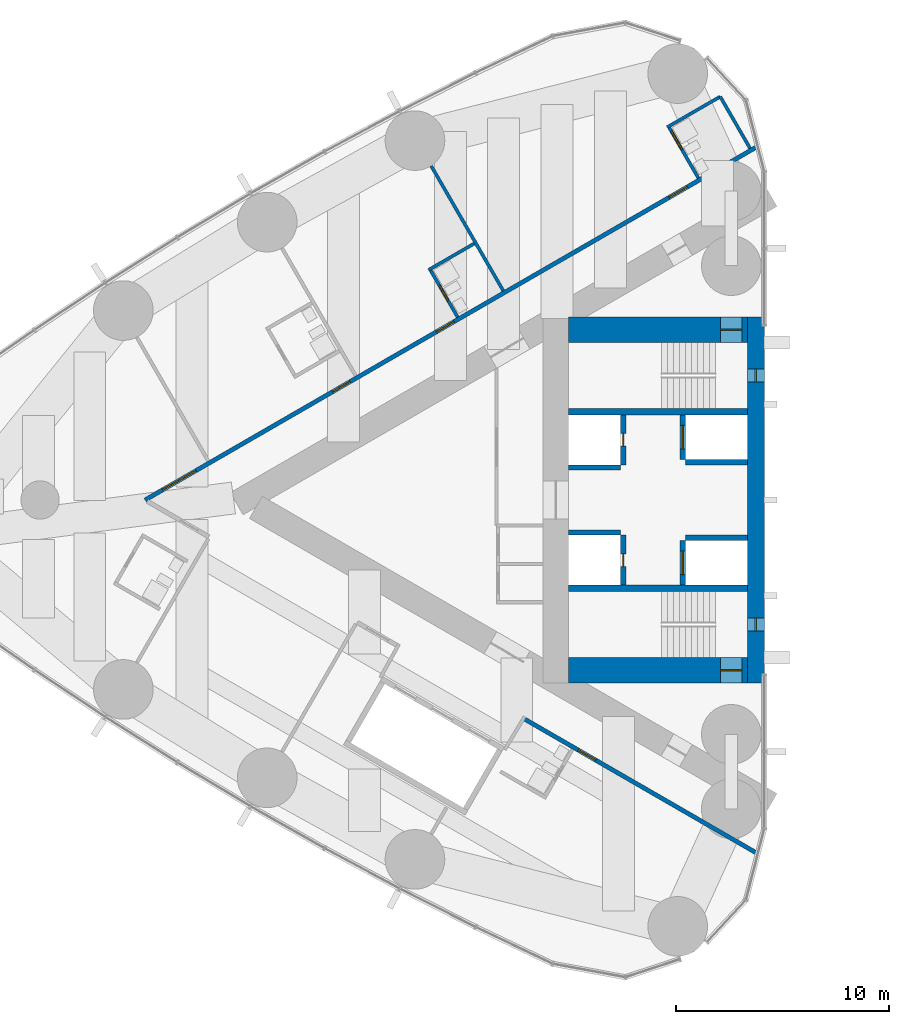
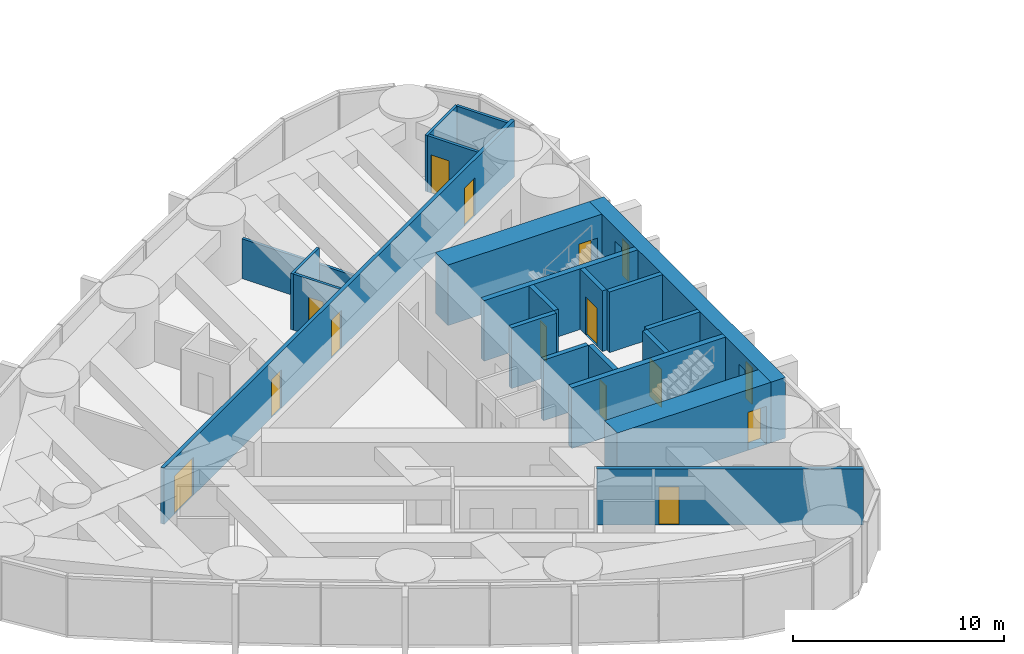
# One storey, part 13 of 19: 21 walls, 13 doors, 2 windows, 15 openings.
"""IFC4 building model written with IfcOpenShell, lengths in metres."""

from ifc_helpers import new_model, si_unit, direction, frame, frame_2d, origin, place, context, subcontext, project, spatial, rectangle, extrude, material, layer, layer_set, type_object, element, fill, save


model = new_model("IFC4")

# Units and contexts
model_context = context("Model", 3, precision=1e-05, world=origin(), true_north=direction((0.0, 1.0)))
body_context = subcontext(model_context, "Body", "Model", "MODEL_VIEW")
ifc_project = project(units=[si_unit("LENGTHUNIT", "METRE"), si_unit("AREAUNIT", "SQUARE_METRE"), si_unit("VOLUMEUNIT", "CUBIC_METRE"), si_unit("PLANEANGLEUNIT", "RADIAN"), si_unit("MASSUNIT", "GRAM", prefix="KILO")], contexts=[model_context])

# Site, building, storey
site_placement = place(None, origin())
site = spatial("IfcSite", under=ifc_project, at=site_placement, CompositionType="ELEMENT")
building_placement = place(site_placement, origin())
building = spatial("IfcBuilding", under=site, at=building_placement, Name="Lancet Gate Hotel", CompositionType="ELEMENT")
storey_placement = place(building_placement, frame((0.0, 0.0, 194.800048828125)))
storey = spatial("IfcBuildingStorey", under=building, at=storey_placement, Name="L52", CompositionType="ELEMENT", Elevation=194.800048828125)

# Wall
ifc_material_1 = material(Name="Moisture resistant board partition")
ifc_layer_1 = layer(ifc_material_1, 0.14990234375)
ifc_layer_set_1 = layer_set([ifc_layer_1], Name="Bathroom wall 150")
wall_type_1 = type_object("IfcWallType", Name="Bathroom wall 150", PredefinedType="PARTITIONING", material=ifc_layer_set_1)
wall_1_placement = place(storey_placement, frame((-29.56982421875, 18.936279296875, 0.0), z_axis=(0.0, 0.0, 1.0), x_axis=(-0.866018712932, -0.500011588718, 0.0)))
element("IfcWall", 1, at=wall_1_placement, inside=storey, type_object=wall_type_1, Name="T1 bathroom wall 150 L52", PredefinedType="PARTITIONING", context=body_context, shape_type="SweptSolid", body=[
    extrude(rectangle(XDim=2.875, YDim=0.14990234375, at=frame_2d((1.4375, 0.0))), origin(), (0.0, 0.0, 1.0), 3.25),
])

# Wall, opening, door
wall_2_placement = place(storey_placement, frame((-30.5947265625, 15.111328125, 0.0), z_axis=(0.0, 0.0, 1.0), x_axis=(-0.49998411664, 0.866034573852, 0.0)))
wall_2 = element("IfcWall", 2, at=wall_2_placement, inside=storey, type_object=wall_type_1, Name="T1 bathroom wall 150 L52", PredefinedType="PARTITIONING", context=body_context, shape_type="SweptSolid", body=[
    extrude(rectangle(XDim=2.7998046875, YDim=0.14990234375, at=frame_2d((1.39990234375, 0.0))), origin(), (0.0, 0.0, 1.0), 3.25),
])
opening_1_placement = place(wall_2_placement, frame((1.550048828125, 0.0, 0.0)))
opening_1 = element("IfcOpeningElement", 3, at=opening_1_placement, cuts=wall_2, Name="Opening 5201-B", PredefinedType="OPENING", context=body_context, shape_type="SweptSolid", body=[
    extrude(rectangle(XDim=1.0, YDim=2.199951171875, at=frame_2d((0.5, 1.10009765625))), frame((0.0, 0.0849609375, 0.0), z_axis=(0.0, -1.0, 0.0), x_axis=(1.0, 0.0, 0.0)), (0.0, 0.0, 1.0), 0.169921875),
])
ifc_material_2 = material(Name="Timber door set", Category="wood")
door_type_1 = type_object("IfcDoorType", Name="Accessible en-suite door 1000", OperationType="SINGLE_SWING_RIGHT", PredefinedType="DOOR", material=ifc_material_2)
door_1_placement = place(opening_1_placement, origin())
door_1 = element("IfcDoor", 4, at=door_1_placement, inside=storey, type_object=door_type_1, Name="5201-B", OperationType="SINGLE_SWING_RIGHT", OverallHeight=2.199951171875, OverallWidth=1.0, PredefinedType="DOOR", context=body_context, shape_type="SweptSolid", body=[
    extrude(rectangle(XDim=1.0, YDim=2.199951171875, at=frame_2d((0.5, 1.10009765625))), frame((0.0, 0.02490234375, 0.0), z_axis=(0.0, -1.0, 0.0), x_axis=(1.0, 0.0, 0.0)), (0.0, 0.0, 1.0), 0.050048828125),
])
fill(opening_1, door_1)

# Walls
wall_3_placement = place(storey_placement, frame((-28.169921875, 16.51123046875, 0.0), z_axis=(0.0, 0.0, 1.0), x_axis=(-0.49994636267, 0.866056369097, 0.0)))
element("IfcWall", 5, at=wall_3_placement, inside=storey, type_object=wall_type_1, Name="T1 bathroom wall 150 L52", PredefinedType="PARTITIONING", context=body_context, shape_type="SweptSolid", body=[
    extrude(rectangle(XDim=2.800048828125, YDim=0.14990234375, at=frame_2d((1.39990234375, 0.0))), origin(), (0.0, 0.0, 1.0), 3.25),
])
wall_4_placement = place(storey_placement, frame((-41.119140625, 12.037109375, 0.0), z_axis=(0.0, 0.0, 1.0), x_axis=(-0.866073894602, -0.499916002032, 0.0)))
element("IfcWall", 6, at=wall_4_placement, inside=storey, type_object=wall_type_1, Name="T1 bathroom wall 150 L52", PredefinedType="PARTITIONING", context=body_context, shape_type="SweptSolid", body=[
    extrude(rectangle(XDim=2.47509765625, YDim=0.14990234375, at=frame_2d((1.237548828125, 0.0))), origin(), (0.0, 0.0, 1.0), 3.25),
])

# Wall, opening, door
wall_5_placement = place(storey_placement, frame((-41.897705078125, 8.58544921875, 0.0), z_axis=(0.0, 0.0, 1.0), x_axis=(-0.500006934395, 0.866021400173, 0.0)))
wall_5 = element("IfcWall", 7, at=wall_5_placement, inside=storey, type_object=wall_type_1, Name="T1 bathroom wall 150 L52", PredefinedType="PARTITIONING", context=body_context, shape_type="SweptSolid", body=[
    extrude(rectangle(XDim=2.60009765625, YDim=0.14990234375, at=frame_2d((1.300048828125, 0.0))), origin(), (0.0, 0.0, 1.0), 3.25),
])
opening_2_placement = place(wall_5_placement, frame((0.89990234375, 0.0, 0.0)))
opening_2 = element("IfcOpeningElement", 8, at=opening_2_placement, cuts=wall_5, Name="Opening 5202-B", PredefinedType="OPENING", context=body_context, shape_type="SweptSolid", body=[
    extrude(rectangle(XDim=0.800048828125, YDim=2.199951171875, at=frame_2d((0.39990234375, 1.10009765625))), frame((0.0, 0.0849609375, 0.0), z_axis=(0.0, -1.0, 0.0), x_axis=(1.0, 0.0, 0.0)), (0.0, 0.0, 1.0), 0.169921875),
])
ifc_material_3 = material(Name="Timber door set", Category="wood")
door_type_2 = type_object("IfcDoorType", Name="Bathroom door 800", OperationType="SINGLE_SWING_RIGHT", PredefinedType="DOOR", material=ifc_material_3)
door_2_placement = place(opening_2_placement, origin())
door_2 = element("IfcDoor", 9, at=door_2_placement, inside=storey, type_object=door_type_2, Name="5202-B", OperationType="SINGLE_SWING_RIGHT", OverallHeight=2.199951171875, OverallWidth=0.800048828125, PredefinedType="DOOR", context=body_context, shape_type="SweptSolid", body=[
    extrude(rectangle(XDim=0.800048828125, YDim=2.199951171875, at=frame_2d((0.39990234375, 1.10009765625))), frame((0.0, 0.02490234375, 0.0), z_axis=(0.0, -1.0, 0.0), x_axis=(1.0, 0.0, 0.0)), (0.0, 0.0, 1.0), 0.050048828125),
])
fill(opening_2, door_2)

ifc_material_4 = material(Name="Concrete C70/85", Category="concrete")
ifc_layer_2 = layer(ifc_material_4, 1.199951171875)
ifc_layer_set_2 = layer_set([ifc_layer_2], Name="Core wall 1200")
wall_type_2 = type_object("IfcWallType", Name="Core wall 1200", PredefinedType="SHEAR", material=ifc_layer_set_2)
wall_6_placement = place(storey_placement, frame((-28.300048828125, 8.0, 0.0), z_axis=(0.0, 0.0, 1.0), x_axis=(-1.0, 0.0, 0.0)))
wall_6 = element("IfcWall", 10, at=wall_6_placement, inside=storey, type_object=wall_type_2, Name="T1 core wall side-S L52", PredefinedType="SHEAR", context=body_context, shape_type="SweptSolid", body=[
    extrude(rectangle(XDim=8.39990234375, YDim=1.199951171875, at=frame_2d((4.199951171875, 0.0))), origin(), (0.0, 0.0, 1.0), 3.5),
])
opening_3_placement = place(wall_6_placement, frame((0.25, 0.0, 0.0)))
opening_3 = element("IfcOpeningElement", 11, at=opening_3_placement, cuts=wall_6, Name="Opening T1-L52-ST1", PredefinedType="OPENING", context=body_context, shape_type="SweptSolid", body=[
    extrude(rectangle(XDim=1.0, YDim=2.199951171875, at=frame_2d((0.5, 1.10009765625))), frame((0.0, 0.60986328125, 0.0), z_axis=(0.0, -1.0, 0.0), x_axis=(1.0, 0.0, 0.0)), (0.0, 0.0, 1.0), 1.219970703125),
])
ifc_material_5 = material(Name="Timber door set", Category="wood")
door_type_3 = type_object("IfcDoorType", Name="Stair door 1000", OperationType="SINGLE_SWING_RIGHT", PredefinedType="DOOR", material=ifc_material_5)
door_3_placement = place(opening_3_placement, origin())
door_3 = element("IfcDoor", 12, at=door_3_placement, inside=storey, type_object=door_type_3, Name="T1-L52-ST1", OperationType="SINGLE_SWING_RIGHT", OverallHeight=2.199951171875, OverallWidth=1.0, PredefinedType="DOOR", context=body_context, shape_type="SweptSolid", body=[
    extrude(rectangle(XDim=1.0, YDim=2.199951171875, at=frame_2d((0.5, 1.10009765625))), frame((0.0, 0.02490234375, 0.0), z_axis=(0.0, -1.0, 0.0), x_axis=(1.0, 0.0, 0.0)), (0.0, 0.0, 1.0), 0.050048828125),
])
fill(opening_3, door_3)

wall_7_placement = place(storey_placement, frame((-28.300048828125, -8.0, 0.0), z_axis=(0.0, 0.0, 1.0), x_axis=(-1.0, 0.0, 0.0)))
wall_7 = element("IfcWall", 13, at=wall_7_placement, inside=storey, type_object=wall_type_2, Name="T1 core wall side-N L52", PredefinedType="SHEAR", context=body_context, shape_type="SweptSolid", body=[
    extrude(rectangle(XDim=8.39990234375, YDim=1.199951171875, at=frame_2d((4.199951171875, 0.0))), origin(), (0.0, 0.0, 1.0), 3.5),
])
opening_4_placement = place(wall_7_placement, frame((0.25, 0.0, 0.0)))
opening_4 = element("IfcOpeningElement", 14, at=opening_4_placement, cuts=wall_7, Name="Opening T1-L52-ST2", PredefinedType="OPENING", context=body_context, shape_type="SweptSolid", body=[
    extrude(rectangle(XDim=1.0, YDim=2.199951171875, at=frame_2d((0.5, 1.10009765625))), frame((0.0, 0.60986328125, 0.0), z_axis=(0.0, -1.0, 0.0), x_axis=(1.0, 0.0, 0.0)), (0.0, 0.0, 1.0), 1.219970703125),
])
door_4_placement = place(opening_4_placement, origin())
door_4 = element("IfcDoor", 15, at=door_4_placement, inside=storey, type_object=door_type_3, Name="T1-L52-ST2", OperationType="SINGLE_SWING_RIGHT", OverallHeight=2.199951171875, OverallWidth=1.0, PredefinedType="DOOR", context=body_context, shape_type="SweptSolid", body=[
    extrude(rectangle(XDim=1.0, YDim=2.199951171875, at=frame_2d((0.5, 1.10009765625))), frame((0.0, 0.02490234375, 0.0), z_axis=(0.0, -1.0, 0.0), x_axis=(1.0, 0.0, 0.0)), (0.0, 0.0, 1.0), 0.050048828125),
])
fill(opening_4, door_4)

# Wall, openings, windows
ifc_material_6 = material(Name="Concrete C70/85", Category="concrete")
ifc_layer_3 = layer(ifc_material_6, 0.800048828125)
ifc_layer_set_3 = layer_set([ifc_layer_3], Name="Core wall 800")
wall_type_3 = type_object("IfcWallType", Name="Core wall 800", PredefinedType="SHEAR", material=ifc_layer_set_3)
wall_8_placement = place(storey_placement, frame((-27.89990234375, 8.60009765625, 0.0), z_axis=(0.0, 0.0, 1.0), x_axis=(0.0, -1.0, 0.0)))
wall_8 = element("IfcWall", 16, at=wall_8_placement, inside=storey, type_object=wall_type_3, Name="T1 core wall front L52", PredefinedType="SHEAR", context=body_context, shape_type="SweptSolid", body=[
    extrude(rectangle(XDim=17.2001953125, YDim=0.800048828125, at=frame_2d((8.60009765625, 0.0))), origin(), (0.0, 0.0, 1.0), 3.5),
])
opening_5_placement = place(wall_8_placement, frame((2.449951171875, 0.0, 0.60009765625)))
opening_5 = element("IfcOpeningElement", 17, at=opening_5_placement, cuts=wall_8, Name="Opening LW1", PredefinedType="OPENING", context=body_context, shape_type="SweptSolid", body=[
    extrude(rectangle(XDim=0.60009765625, YDim=2.10009765625, at=frame_2d((0.300048828125, 1.050048828125))), frame((0.0, 0.409912109375, 0.0), z_axis=(0.0, -1.0, 0.0), x_axis=(1.0, 0.0, 0.0)), (0.0, 0.0, 1.0), 0.820068359375),
])
opening_6_placement = place(wall_8_placement, frame((14.14990234375, 0.0, 0.60009765625)))
opening_6 = element("IfcOpeningElement", 18, at=opening_6_placement, cuts=wall_8, Name="Opening LW1", PredefinedType="OPENING", context=body_context, shape_type="SweptSolid", body=[
    extrude(rectangle(XDim=0.60009765625, YDim=2.10009765625, at=frame_2d((0.300048828125, 1.050048828125))), frame((0.0, 0.409912109375, 0.0), z_axis=(0.0, -1.0, 0.0), x_axis=(1.0, 0.0, 0.0)), (0.0, 0.0, 1.0), 0.820068359375),
])
ifc_material_7 = material(Name="Fire-resisting glazed steel window", Category="steel")
window_type = type_object("IfcWindowType", Name="Lancet window 600x2100", PartitioningType="SINGLE_PANEL", PredefinedType="WINDOW", material=ifc_material_7)
window_1_placement = place(opening_5_placement, origin())
window_1 = element("IfcWindow", 19, at=window_1_placement, inside=storey, type_object=window_type, Name="T1 stair window S L52", OverallHeight=2.10009765625, OverallWidth=0.60009765625, PartitioningType="SINGLE_PANEL", PredefinedType="WINDOW", context=body_context, shape_type="SweptSolid", body=[
    extrude(rectangle(XDim=0.60009765625, YDim=2.10009765625, at=frame_2d((0.300048828125, 1.050048828125))), frame((0.0, 0.030029296875, 0.0), z_axis=(0.0, -1.0, 0.0), x_axis=(1.0, 0.0, 0.0)), (0.0, 0.0, 1.0), 0.06005859375),
])
fill(opening_5, window_1)
window_2_placement = place(opening_6_placement, origin())
window_2 = element("IfcWindow", 20, at=window_2_placement, inside=storey, type_object=window_type, Name="T1 stair window N L52", OverallHeight=2.10009765625, OverallWidth=0.60009765625, PartitioningType="SINGLE_PANEL", PredefinedType="WINDOW", context=body_context, shape_type="SweptSolid", body=[
    extrude(rectangle(XDim=0.60009765625, YDim=2.10009765625, at=frame_2d((0.300048828125, 1.050048828125))), frame((0.0, 0.030029296875, 0.0), z_axis=(0.0, -1.0, 0.0), x_axis=(1.0, 0.0, 0.0)), (0.0, 0.0, 1.0), 0.06005859375),
])
fill(opening_6, window_2)

# Wall, openings, doors
ifc_material_8 = material(Name="Gypsum board partition")
ifc_layer_4 = layer(ifc_material_8, 0.199951171875)
ifc_layer_set_4 = layer_set([ifc_layer_4], Name="Corridor wall 200")
wall_type_4 = type_object("IfcWallType", Name="Corridor wall 200", PredefinedType="PARTITIONING", material=ifc_layer_set_4)
wall_9_placement = place(storey_placement, frame((-27.860107421875, 16.57470703125, 0.0), z_axis=(0.0, 0.0, 1.0), x_axis=(-0.866025533911, -0.499999774615, 0.0)))
wall_9 = element("IfcWall", 21, at=wall_9_placement, inside=storey, type_object=wall_type_4, Name="T1 corridor wall 200 L52", PredefinedType="PARTITIONING", context=body_context, shape_type="SweptSolid", body=[
    extrude(rectangle(XDim=33.1494140625, YDim=0.199951171875, at=frame_2d((16.57470703125, 0.0))), origin(), (0.0, 0.0, 1.0), 3.25),
])
opening_7_placement = place(wall_9_placement, frame((3.75, 0.0, 0.0)))
opening_7 = element("IfcOpeningElement", 22, at=opening_7_placement, cuts=wall_9, Name="Opening 5201-E", PredefinedType="OPENING", context=body_context, shape_type="SweptSolid", body=[
    extrude(rectangle(XDim=1.0, YDim=2.199951171875, at=frame_2d((0.5, 1.10009765625))), frame((0.0, 0.10986328125, 0.0), z_axis=(0.0, -1.0, 0.0), x_axis=(1.0, 0.0, 0.0)), (0.0, 0.0, 1.0), 0.219970703125),
])
opening_8_placement = place(wall_9_placement, frame((16.401611328125, 0.0, 0.0)))
opening_8 = element("IfcOpeningElement", 23, at=opening_8_placement, cuts=wall_9, Name="Opening 5202-E", PredefinedType="OPENING", context=body_context, shape_type="SweptSolid", body=[
    extrude(rectangle(XDim=0.949951171875, YDim=2.199951171875, at=frame_2d((0.47509765625, 1.10009765625))), frame((0.0, 0.10986328125, 0.0), z_axis=(0.0, -1.0, 0.0), x_axis=(1.0, 0.0, 0.0)), (0.0, 0.0, 1.0), 0.219970703125),
])
opening_9_placement = place(wall_9_placement, frame((22.04736328125, 0.0, 0.0)))
opening_9 = element("IfcOpeningElement", 24, at=opening_9_placement, cuts=wall_9, Name="Opening 5203-E", PredefinedType="OPENING", context=body_context, shape_type="SweptSolid", body=[
    extrude(rectangle(XDim=0.949951171875, YDim=2.199951171875, at=frame_2d((0.47509765625, 1.10009765625))), frame((0.0, 0.10986328125, 0.0), z_axis=(0.0, -1.0, 0.0), x_axis=(1.0, 0.0, 0.0)), (0.0, 0.0, 1.0), 0.219970703125),
])
opening_10_placement = place(wall_9_placement, frame((30.3955078125, 0.0, 0.0)))
opening_10 = element("IfcOpeningElement", 25, at=opening_10_placement, cuts=wall_9, Name="Opening 5204-E", PredefinedType="OPENING", context=body_context, shape_type="SweptSolid", body=[
    extrude(rectangle(XDim=1.800048828125, YDim=2.199951171875, at=frame_2d((0.89990234375, 1.10009765625))), frame((0.0, 0.10986328125, 0.0), z_axis=(0.0, -1.0, 0.0), x_axis=(1.0, 0.0, 0.0)), (0.0, 0.0, 1.0), 0.219970703125),
])
ifc_material_9 = material(Name="Timber door set", Category="wood")
door_type_4 = type_object("IfcDoorType", Name="Accessible guest room door 1000", OperationType="SINGLE_SWING_LEFT", PredefinedType="DOOR", material=ifc_material_9)
door_5_placement = place(opening_7_placement, origin())
door_5 = element("IfcDoor", 26, at=door_5_placement, inside=storey, type_object=door_type_4, Name="5201-E", OperationType="SINGLE_SWING_LEFT", OverallHeight=2.199951171875, OverallWidth=1.0, PredefinedType="DOOR", context=body_context, shape_type="SweptSolid", body=[
    extrude(rectangle(XDim=1.0, YDim=2.199951171875, at=frame_2d((0.5, 1.10009765625))), frame((0.0, 0.02490234375, 0.0), z_axis=(0.0, -1.0, 0.0), x_axis=(1.0, 0.0, 0.0)), (0.0, 0.0, 1.0), 0.050048828125),
])
fill(opening_7, door_5)
ifc_material_10 = material(Name="Timber door set", Category="wood")
door_type_5 = type_object("IfcDoorType", Name="Double door 1800", OperationType="DOUBLE_DOOR_SINGLE_SWING", PredefinedType="DOOR", material=ifc_material_10)
door_6_placement = place(opening_10_placement, origin())
door_6 = element("IfcDoor", 27, at=door_6_placement, inside=storey, type_object=door_type_5, Name="5204-E", OperationType="DOUBLE_DOOR_SINGLE_SWING", OverallHeight=2.199951171875, OverallWidth=1.800048828125, PredefinedType="DOOR", context=body_context, shape_type="SweptSolid", body=[
    extrude(rectangle(XDim=1.800048828125, YDim=2.199951171875, at=frame_2d((0.89990234375, 1.10009765625))), frame((0.0, 0.02490234375, 0.0), z_axis=(0.0, -1.0, 0.0), x_axis=(1.0, 0.0, 0.0)), (0.0, 0.0, 1.0), 0.050048828125),
])
fill(opening_10, door_6)
ifc_material_11 = material(Name="Timber door set", Category="wood")
door_type_6 = type_object("IfcDoorType", Name="Guest room entry door 950", OperationType="SINGLE_SWING_LEFT", PredefinedType="DOOR", material=ifc_material_11)
door_7_placement = place(opening_8_placement, origin())
door_7 = element("IfcDoor", 28, at=door_7_placement, inside=storey, type_object=door_type_6, Name="5202-E", OperationType="SINGLE_SWING_LEFT", OverallHeight=2.199951171875, OverallWidth=0.949951171875, PredefinedType="DOOR", context=body_context, shape_type="SweptSolid", body=[
    extrude(rectangle(XDim=0.949951171875, YDim=2.199951171875, at=frame_2d((0.47509765625, 1.10009765625))), frame((0.0, 0.02490234375, 0.0), z_axis=(0.0, -1.0, 0.0), x_axis=(1.0, 0.0, 0.0)), (0.0, 0.0, 1.0), 0.050048828125),
])
fill(opening_8, door_7)
door_8_placement = place(opening_9_placement, origin())
door_8 = element("IfcDoor", 29, at=door_8_placement, inside=storey, type_object=door_type_6, Name="5203-E", OperationType="SINGLE_SWING_LEFT", OverallHeight=2.199951171875, OverallWidth=0.949951171875, PredefinedType="DOOR", context=body_context, shape_type="SweptSolid", body=[
    extrude(rectangle(XDim=0.949951171875, YDim=2.199951171875, at=frame_2d((0.47509765625, 1.10009765625))), frame((0.0, 0.02490234375, 0.0), z_axis=(0.0, -1.0, 0.0), x_axis=(1.0, 0.0, 0.0)), (0.0, 0.0, 1.0), 0.050048828125),
])
fill(opening_9, door_8)

# Wall, opening, door
wall_10_placement = place(storey_placement, frame((-27.860107421875, -16.57470703125, 0.0), z_axis=(0.0, 0.0, 1.0), x_axis=(-0.866027756871, 0.499995924312, 0.0)))
wall_10 = element("IfcWall", 30, at=wall_10_placement, inside=storey, type_object=wall_type_4, Name="T1 corridor wall 200 L52", PredefinedType="PARTITIONING", context=body_context, shape_type="SweptSolid", body=[
    extrude(rectangle(XDim=12.6220703125, YDim=0.199951171875, at=frame_2d((6.31103515625, 0.0))), origin(), (0.0, 0.0, 1.0), 3.25),
])
opening_11_placement = place(wall_10_placement, frame((8.72216796875, 0.0, 0.0)))
opening_11 = element("IfcOpeningElement", 31, at=opening_11_placement, cuts=wall_10, Name="Opening 5208-E", PredefinedType="OPENING", context=body_context, shape_type="SweptSolid", body=[
    extrude(rectangle(XDim=0.949951171875, YDim=2.199951171875, at=frame_2d((0.47509765625, 1.10009765625))), frame((0.0, 0.10986328125, 0.0), z_axis=(0.0, -1.0, 0.0), x_axis=(1.0, 0.0, 0.0)), (0.0, 0.0, 1.0), 0.219970703125),
])
door_9_placement = place(opening_11_placement, origin())
door_9 = element("IfcDoor", 32, at=door_9_placement, inside=storey, type_object=door_type_6, Name="5208-E", OperationType="SINGLE_SWING_LEFT", OverallHeight=2.199951171875, OverallWidth=0.949951171875, PredefinedType="DOOR", context=body_context, shape_type="SweptSolid", body=[
    extrude(rectangle(XDim=0.949951171875, YDim=2.199951171875, at=frame_2d((0.47509765625, 1.10009765625))), frame((0.0, 0.02490234375, 0.0), z_axis=(0.0, -1.0, 0.0), x_axis=(1.0, 0.0, 0.0)), (0.0, 0.0, 1.0), 0.050048828125),
])
fill(opening_11, door_9)

ifc_material_12 = material(Name="Concrete C50/60", Category="concrete")
ifc_layer_5 = layer(ifc_material_12, 0.25)
ifc_layer_set_5 = layer_set([ifc_layer_5], Name="Lift shaft wall 250")
wall_type_5 = type_object("IfcWallType", Name="Lift shaft wall 250", PredefinedType="SHEAR", material=ifc_layer_set_5)
wall_11_placement = place(storey_placement, frame((-31.324951171875, 4.0, 0.0), z_axis=(0.0, 0.0, 1.0), x_axis=(0.0, -1.0, 0.0)))
wall_11 = element("IfcWall", 33, at=wall_11_placement, inside=storey, type_object=wall_type_5, Name="T1 core wall row1-S L52", PredefinedType="SHEAR", context=body_context, shape_type="SweptSolid", body=[
    extrude(rectangle(XDim=2.10009765625, YDim=0.25, at=frame_2d((1.050048828125, 0.0))), origin(), (0.0, 0.0, 1.0), 3.5),
])
opening_12_placement = place(wall_11_placement, frame((0.5, 0.0, 0.0)))
opening_12 = element("IfcOpeningElement", 34, at=opening_12_placement, cuts=wall_11, Name="Opening T1-SL1-L52", PredefinedType="OPENING", context=body_context, shape_type="SweptSolid", body=[
    extrude(rectangle(XDim=1.10009765625, YDim=2.199951171875, at=frame_2d((0.550048828125, 1.10009765625))), frame((0.0, 0.135009765625, 0.0), z_axis=(0.0, -1.0, 0.0), x_axis=(1.0, 0.0, 0.0)), (0.0, 0.0, 1.0), 0.27001953125),
])
ifc_material_13 = material(Name="Timber door set", Category="wood")
door_type_7 = type_object("IfcDoorType", Name="Service lift landing door 1100", OperationType="SLIDING_TO_LEFT", PredefinedType="USERDEFINED", material=ifc_material_13)
door_10_placement = place(opening_12_placement, origin())
door_10 = element("IfcDoor", 35, at=door_10_placement, inside=storey, type_object=door_type_7, Name="T1-SL1-L52", ObjectType="LIFT LANDING DOOR", OperationType="SLIDING_TO_LEFT", OverallHeight=2.199951171875, OverallWidth=1.10009765625, PredefinedType="USERDEFINED", context=body_context, shape_type="SweptSolid", body=[
    extrude(rectangle(XDim=1.10009765625, YDim=2.199951171875, at=frame_2d((0.550048828125, 1.10009765625))), frame((0.0, 0.02490234375, 0.0), z_axis=(0.0, -1.0, 0.0), x_axis=(1.0, 0.0, 0.0)), (0.0, 0.0, 1.0), 0.050048828125),
])
fill(opening_12, door_10)

wall_12_placement = place(storey_placement, frame((-34.125, 4.0, 0.0), z_axis=(0.0, 0.0, 1.0), x_axis=(0.0, -1.0, 0.0)))
wall_12 = element("IfcWall", 36, at=wall_12_placement, inside=storey, type_object=wall_type_5, Name="T1 core wall row2-S L52", PredefinedType="SHEAR", context=body_context, shape_type="SweptSolid", body=[
    extrude(rectangle(XDim=2.35009765625, YDim=0.25, at=frame_2d((1.175048828125, 0.0))), origin(), (0.0, 0.0, 1.0), 3.5),
])
opening_13_placement = place(wall_12_placement, frame((0.875, 0.0, 0.0)))
opening_13 = element("IfcOpeningElement", 37, at=opening_13_placement, cuts=wall_12, Name="Opening T1-OL3-L52-E", PredefinedType="OPENING", context=body_context, shape_type="SweptSolid", body=[
    extrude(rectangle(XDim=0.60009765625, YDim=2.0, at=frame_2d((0.300048828125, 1.0))), frame((0.0, 0.135009765625, 0.0), z_axis=(0.0, -1.0, 0.0), x_axis=(1.0, 0.0, 0.0)), (0.0, 0.0, 1.0), 0.27001953125),
])
ifc_material_14 = material(Name="Steel door set", Category="steel")
door_type_8 = type_object("IfcDoorType", Name="Lift shaft emergency door 600x2000", OperationType="SLIDING_TO_LEFT", PredefinedType="DOOR", material=ifc_material_14)
door_11_placement = place(opening_13_placement, origin())
door_11 = element("IfcDoor", 38, at=door_11_placement, inside=storey, type_object=door_type_8, Name="T1-OL3-L52-E", OperationType="SLIDING_TO_LEFT", OverallHeight=2.0, OverallWidth=0.60009765625, PredefinedType="DOOR", context=body_context, shape_type="SweptSolid", body=[
    extrude(rectangle(XDim=0.60009765625, YDim=2.0, at=frame_2d((0.300048828125, 1.0))), frame((0.0, 0.02490234375, 0.0), z_axis=(0.0, -1.0, 0.0), x_axis=(1.0, 0.0, 0.0)), (0.0, 0.0, 1.0), 0.050048828125),
])
fill(opening_13, door_11)

# Walls
wall_13_placement = place(storey_placement, frame((-28.300048828125, 1.77490234375, 0.0), z_axis=(0.0, 0.0, 1.0), x_axis=(-1.0, 0.0, 0.0)))
element("IfcWall", 39, at=wall_13_placement, inside=storey, type_object=wall_type_5, Name="T1 core wall pass1-S L52", PredefinedType="SHEAR", context=body_context, shape_type="SweptSolid", body=[
    extrude(rectangle(XDim=2.89990234375, YDim=0.25, at=frame_2d((1.449951171875, 0.0))), origin(), (0.0, 0.0, 1.0), 3.5),
])
wall_14_placement = place(storey_placement, frame((-34.25, 1.52490234375, 0.0), z_axis=(0.0, 0.0, 1.0), x_axis=(-1.0, 0.0, 0.0)))
element("IfcWall", 40, at=wall_14_placement, inside=storey, type_object=wall_type_5, Name="T1 core wall pass2-S L52", PredefinedType="SHEAR", context=body_context, shape_type="SweptSolid", body=[
    extrude(rectangle(XDim=2.449951171875, YDim=0.25, at=frame_2d((1.22509765625, 0.0))), origin(), (0.0, 0.0, 1.0), 3.5),
])

# Wall, opening, door
wall_15_placement = place(storey_placement, frame((-31.324951171875, -1.89990234375, 0.0), z_axis=(0.0, 0.0, 1.0), x_axis=(0.0, -1.0, 0.0)))
wall_15 = element("IfcWall", 41, at=wall_15_placement, inside=storey, type_object=wall_type_5, Name="T1 core wall row1-N L52", PredefinedType="SHEAR", context=body_context, shape_type="SweptSolid", body=[
    extrude(rectangle(XDim=2.10009765625, YDim=0.25, at=frame_2d((1.050048828125, 0.0))), origin(), (0.0, 0.0, 1.0), 3.5),
])
opening_14_placement = place(wall_15_placement, frame((0.5, 0.0, 0.0)))
opening_14 = element("IfcOpeningElement", 42, at=opening_14_placement, cuts=wall_15, Name="Opening T1-FL2-L52", PredefinedType="OPENING", context=body_context, shape_type="SweptSolid", body=[
    extrude(rectangle(XDim=1.10009765625, YDim=2.199951171875, at=frame_2d((0.550048828125, 1.10009765625))), frame((0.0, 0.135009765625, 0.0), z_axis=(0.0, -1.0, 0.0), x_axis=(1.0, 0.0, 0.0)), (0.0, 0.0, 1.0), 0.27001953125),
])
ifc_material_15 = material(Name="Steel door set", Category="steel")
door_type_9 = type_object("IfcDoorType", Name="Firefighting lift landing door 1100", OperationType="SLIDING_TO_LEFT", PredefinedType="USERDEFINED", material=ifc_material_15)
door_12_placement = place(opening_14_placement, origin())
door_12 = element("IfcDoor", 43, at=door_12_placement, inside=storey, type_object=door_type_9, Name="T1-FL2-L52", ObjectType="LIFT LANDING DOOR", OperationType="SLIDING_TO_LEFT", OverallHeight=2.199951171875, OverallWidth=1.10009765625, PredefinedType="USERDEFINED", context=body_context, shape_type="SweptSolid", body=[
    extrude(rectangle(XDim=1.10009765625, YDim=2.199951171875, at=frame_2d((0.550048828125, 1.10009765625))), frame((0.0, 0.02490234375, 0.0), z_axis=(0.0, -1.0, 0.0), x_axis=(1.0, 0.0, 0.0)), (0.0, 0.0, 1.0), 0.050048828125),
])
fill(opening_14, door_12)

wall_16_placement = place(storey_placement, frame((-34.125, -1.64990234375, 0.0), z_axis=(0.0, 0.0, 1.0), x_axis=(0.0, -1.0, 0.0)))
wall_16 = element("IfcWall", 44, at=wall_16_placement, inside=storey, type_object=wall_type_5, Name="T1 core wall row2-N L52", PredefinedType="SHEAR", context=body_context, shape_type="SweptSolid", body=[
    extrude(rectangle(XDim=2.35009765625, YDim=0.25, at=frame_2d((1.175048828125, 0.0))), origin(), (0.0, 0.0, 1.0), 3.5),
])
opening_15_placement = place(wall_16_placement, frame((0.875, 0.0, 0.0)))
opening_15 = element("IfcOpeningElement", 45, at=opening_15_placement, cuts=wall_16, Name="Opening T1-OL4-L52-E", PredefinedType="OPENING", context=body_context, shape_type="SweptSolid", body=[
    extrude(rectangle(XDim=0.60009765625, YDim=2.0, at=frame_2d((0.300048828125, 1.0))), frame((0.0, 0.135009765625, 0.0), z_axis=(0.0, -1.0, 0.0), x_axis=(1.0, 0.0, 0.0)), (0.0, 0.0, 1.0), 0.27001953125),
])
door_13_placement = place(opening_15_placement, origin())
door_13 = element("IfcDoor", 46, at=door_13_placement, inside=storey, type_object=door_type_8, Name="T1-OL4-L52-E", OperationType="SLIDING_TO_LEFT", OverallHeight=2.0, OverallWidth=0.60009765625, PredefinedType="DOOR", context=body_context, shape_type="SweptSolid", body=[
    extrude(rectangle(XDim=0.60009765625, YDim=2.0, at=frame_2d((0.300048828125, 1.0))), frame((0.0, 0.02490234375, 0.0), z_axis=(0.0, -1.0, 0.0), x_axis=(1.0, 0.0, 0.0)), (0.0, 0.0, 1.0), 0.050048828125),
])
fill(opening_15, door_13)

# Walls
wall_17_placement = place(storey_placement, frame((-28.300048828125, -1.77490234375, 0.0), z_axis=(0.0, 0.0, 1.0), x_axis=(-1.0, 0.0, 0.0)))
element("IfcWall", 47, at=wall_17_placement, inside=storey, type_object=wall_type_5, Name="T1 core wall pass1-N L52", PredefinedType="SHEAR", context=body_context, shape_type="SweptSolid", body=[
    extrude(rectangle(XDim=2.89990234375, YDim=0.25, at=frame_2d((1.449951171875, 0.0))), origin(), (0.0, 0.0, 1.0), 3.5),
])
wall_18_placement = place(storey_placement, frame((-34.25, -1.52490234375, 0.0), z_axis=(0.0, 0.0, 1.0), x_axis=(-1.0, 0.0, 0.0)))
element("IfcWall", 48, at=wall_18_placement, inside=storey, type_object=wall_type_5, Name="T1 core wall pass2-N L52", PredefinedType="SHEAR", context=body_context, shape_type="SweptSolid", body=[
    extrude(rectangle(XDim=2.449951171875, YDim=0.25, at=frame_2d((1.22509765625, 0.0))), origin(), (0.0, 0.0, 1.0), 3.5),
])
ifc_material_16 = material(Name="Gypsum board partition")
ifc_layer_6 = layer(ifc_material_16, 0.14990234375)
ifc_layer_set_6 = layer_set([ifc_layer_6], Name="Party wall 150")
wall_type_6 = type_object("IfcWallType", Name="Party wall 150", PredefinedType="PARTITIONING", material=ifc_layer_set_6)
wall_19_placement = place(storey_placement, frame((-39.75439453125, 9.822998046875, 0.0), z_axis=(0.0, 0.0, 1.0), x_axis=(-0.499997670926, 0.866026748472, 0.0)))
element("IfcWall", 49, at=wall_19_placement, inside=storey, type_object=wall_type_6, Name="T1 party wall 150 L52", PredefinedType="PARTITIONING", context=body_context, shape_type="SweptSolid", body=[
    extrude(rectangle(XDim=6.75732421875, YDim=0.14990234375, at=frame_2d((3.378662109375, 0.0))), origin(), (0.0, 0.0, 1.0), 2.300048828125),
])
ifc_material_17 = material(Name="Concrete C50/60", Category="concrete")
ifc_layer_7 = layer(ifc_material_17, 0.300048828125)
ifc_layer_set_7 = layer_set([ifc_layer_7], Name="Stair enclosure wall 300")
wall_type_7 = type_object("IfcWallType", Name="Stair enclosure wall 300", PredefinedType="SHEAR", material=ifc_layer_set_7)
for number, where, z_axis, x_axis, name in (
    (50, (-28.300048828125, 4.14990234375, 0.0), (0.0, 0.0, 1.0), (-1.0, 0.0, 0.0), "T1 core wall stair-S L52"),
    (51, (-28.300048828125, -4.14990234375, 0.0), (0.0, 0.0, 1.0), (-1.0, 0.0, 0.0), "T1 core wall stair-N L52"),
):
    element("IfcWall", number, at=place(storey_placement, frame(where, z_axis=z_axis, x_axis=x_axis)), inside=storey, type_object=wall_type_7, Name=name, PredefinedType="SHEAR", context=body_context, shape_type="SweptSolid", body=[
        extrude(rectangle(XDim=8.39990234375, YDim=0.300048828125, at=frame_2d((4.199951171875, 0.0))), origin(), (0.0, 0.0, 1.0), 3.5),
    ])

save(model, "model.ifc")
